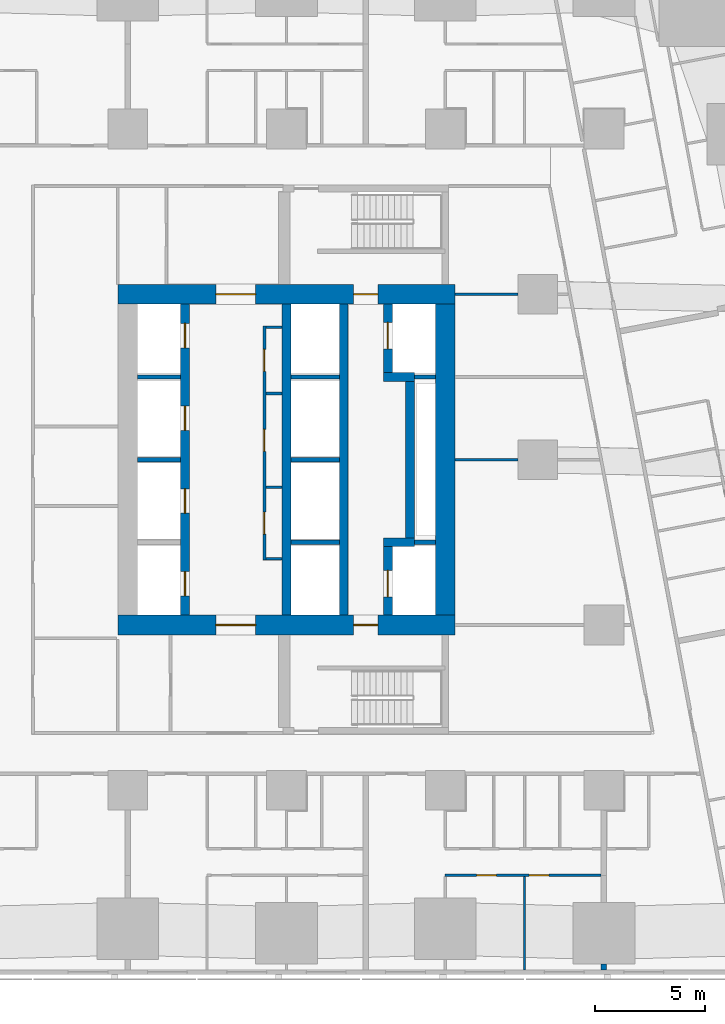
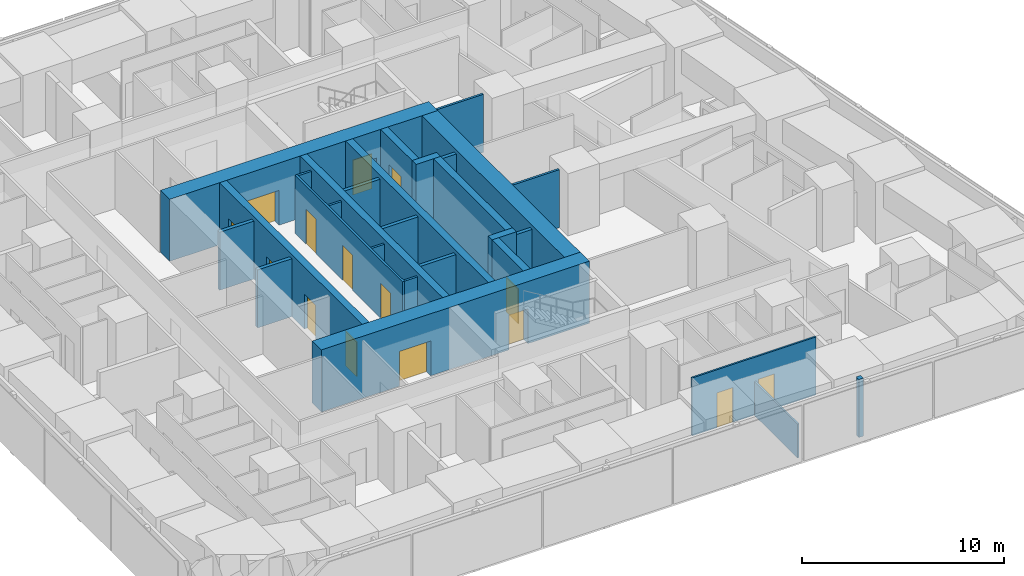
# One storey, part 8 of 18: 28 walls, 15 doors, 15 openings.
"""IFC4 building model written with IfcOpenShell, lengths in metres."""

from ifc_helpers import new_model, si_unit, direction, frame, frame_2d, origin, place, context, subcontext, project, spatial, rectangle, extrude, material, layer, layer_set, type_object, element, fill, save


model = new_model("IFC4")

# Units and contexts
model_context = context("Model", 3, precision=1e-05, world=origin(), true_north=direction((0.0, 1.0)))
body_context = subcontext(model_context, "Body", "Model", "MODEL_VIEW")
ifc_project = project(units=[si_unit("LENGTHUNIT", "METRE"), si_unit("AREAUNIT", "SQUARE_METRE"), si_unit("VOLUMEUNIT", "CUBIC_METRE"), si_unit("PLANEANGLEUNIT", "RADIAN"), si_unit("MASSUNIT", "GRAM", prefix="KILO")], contexts=[model_context])

# Site, building, storey
site_placement = place(None, origin())
site = spatial("IfcSite", under=ifc_project, at=site_placement, CompositionType="ELEMENT")
building_placement = place(site_placement, origin())
building = spatial("IfcBuilding", under=site, at=building_placement, Name="Sheger Commons Tower", CompositionType="ELEMENT")
storey_placement = place(building_placement, frame((0.0, 0.0, 38.75)))
storey = spatial("IfcBuildingStorey", under=building, at=storey_placement, Name="L09", CompositionType="ELEMENT", Elevation=38.75)

# Wall, openings, doors
ifc_material_1 = material(Name="Concrete C50/60", Category="concrete")
ifc_layer_1 = layer(ifc_material_1, 0.39990234375)
ifc_layer_set_1 = layer_set([ifc_layer_1], Name="CORE INNER WALL 400")
wall_type_1 = type_object("IfcWallType", Name="CORE INNER WALL 400", PredefinedType="SHEAR", material=ifc_layer_set_1)
wall_1_placement = place(storey_placement, frame((17.0, 15.449951171875, 0.0), z_axis=(0.0, 0.0, 1.0), x_axis=(0.0, 1.0, 0.0)))
wall_1 = element("IfcWall", 1, at=wall_1_placement, inside=storey, type_object=wall_type_1, Name="Core inner wall A L09", PredefinedType="SHEAR", context=body_context, shape_type="SweptSolid", body=[
    extrude(rectangle(XDim=14.10009765625, YDim=0.39990234375, at=frame_2d((7.050048828125, 0.0))), origin(), (0.0, 0.0, 1.0), 3.75),
])
opening_1_placement = place(wall_1_placement, frame((0.875, 0.0, 0.0)))
opening_1 = element("IfcOpeningElement", 2, at=opening_1_placement, cuts=wall_1, Name="Opening LD", PredefinedType="OPENING", context=body_context, shape_type="SweptSolid", body=[
    extrude(rectangle(XDim=1.10009765625, YDim=2.10009765625, at=frame_2d((0.550048828125, 1.050048828125))), frame((0.0, 0.2099609375, 0.0), z_axis=(0.0, -1.0, 0.0), x_axis=(1.0, 0.0, 0.0)), (0.0, 0.0, 1.0), 0.419921875),
])
opening_2_placement = place(wall_1_placement, frame((4.625, 0.0, 0.0)))
opening_2 = element("IfcOpeningElement", 3, at=opening_2_placement, cuts=wall_1, Name="Opening LD", PredefinedType="OPENING", context=body_context, shape_type="SweptSolid", body=[
    extrude(rectangle(XDim=1.10009765625, YDim=2.10009765625, at=frame_2d((0.550048828125, 1.050048828125))), frame((0.0, 0.2099609375, 0.0), z_axis=(0.0, -1.0, 0.0), x_axis=(1.0, 0.0, 0.0)), (0.0, 0.0, 1.0), 0.419921875),
])
opening_3_placement = place(wall_1_placement, frame((8.375, 0.0, 0.0)))
opening_3 = element("IfcOpeningElement", 4, at=opening_3_placement, cuts=wall_1, Name="Opening LD", PredefinedType="OPENING", context=body_context, shape_type="SweptSolid", body=[
    extrude(rectangle(XDim=1.10009765625, YDim=2.10009765625, at=frame_2d((0.550048828125, 1.050048828125))), frame((0.0, 0.2099609375, 0.0), z_axis=(0.0, -1.0, 0.0), x_axis=(1.0, 0.0, 0.0)), (0.0, 0.0, 1.0), 0.419921875),
])
opening_4_placement = place(wall_1_placement, frame((12.125, 0.0, 0.0)))
opening_4 = element("IfcOpeningElement", 5, at=opening_4_placement, cuts=wall_1, Name="Opening LD", PredefinedType="OPENING", context=body_context, shape_type="SweptSolid", body=[
    extrude(rectangle(XDim=1.10009765625, YDim=2.10009765625, at=frame_2d((0.550048828125, 1.050048828125))), frame((0.0, 0.2099609375, 0.0), z_axis=(0.0, -1.0, 0.0), x_axis=(1.0, 0.0, 0.0)), (0.0, 0.0, 1.0), 0.419921875),
])
ifc_material_2 = material(Name="Steel door set, fire rated", Category="steel")
door_type_1 = type_object("IfcDoorType", Name="LIFT LANDING DOOR 1100x2100", OperationType="DOUBLE_DOOR_SLIDING", PredefinedType="DOOR", material=ifc_material_2)
door_1_placement = place(opening_1_placement, origin())
door_1 = element("IfcDoor", 6, at=door_1_placement, inside=storey, type_object=door_type_1, Name="Lift LA1 landing door", OperationType="DOUBLE_DOOR_SLIDING", OverallHeight=2.10009765625, OverallWidth=1.10009765625, PredefinedType="DOOR", context=body_context, shape_type="SweptSolid", body=[
    extrude(rectangle(XDim=1.10009765625, YDim=2.10009765625, at=frame_2d((0.550048828125, 1.050048828125))), frame((0.0, 0.02490234375, 0.0), z_axis=(0.0, -1.0, 0.0), x_axis=(1.0, 0.0, 0.0)), (0.0, 0.0, 1.0), 0.050048828125),
])
fill(opening_1, door_1)
door_2_placement = place(opening_2_placement, origin())
door_2 = element("IfcDoor", 7, at=door_2_placement, inside=storey, type_object=door_type_1, Name="Lift LA2 landing door", OperationType="DOUBLE_DOOR_SLIDING", OverallHeight=2.10009765625, OverallWidth=1.10009765625, PredefinedType="DOOR", context=body_context, shape_type="SweptSolid", body=[
    extrude(rectangle(XDim=1.10009765625, YDim=2.10009765625, at=frame_2d((0.550048828125, 1.050048828125))), frame((0.0, 0.02490234375, 0.0), z_axis=(0.0, -1.0, 0.0), x_axis=(1.0, 0.0, 0.0)), (0.0, 0.0, 1.0), 0.050048828125),
])
fill(opening_2, door_2)
door_3_placement = place(opening_3_placement, origin())
door_3 = element("IfcDoor", 8, at=door_3_placement, inside=storey, type_object=door_type_1, Name="Lift LA3 landing door", OperationType="DOUBLE_DOOR_SLIDING", OverallHeight=2.10009765625, OverallWidth=1.10009765625, PredefinedType="DOOR", context=body_context, shape_type="SweptSolid", body=[
    extrude(rectangle(XDim=1.10009765625, YDim=2.10009765625, at=frame_2d((0.550048828125, 1.050048828125))), frame((0.0, 0.02490234375, 0.0), z_axis=(0.0, -1.0, 0.0), x_axis=(1.0, 0.0, 0.0)), (0.0, 0.0, 1.0), 0.050048828125),
])
fill(opening_3, door_3)
door_4_placement = place(opening_4_placement, origin())
door_4 = element("IfcDoor", 9, at=door_4_placement, inside=storey, type_object=door_type_1, Name="Lift LA4 landing door", OperationType="DOUBLE_DOOR_SLIDING", OverallHeight=2.10009765625, OverallWidth=1.10009765625, PredefinedType="DOOR", context=body_context, shape_type="SweptSolid", body=[
    extrude(rectangle(XDim=1.10009765625, YDim=2.10009765625, at=frame_2d((0.550048828125, 1.050048828125))), frame((0.0, 0.02490234375, 0.0), z_axis=(0.0, -1.0, 0.0), x_axis=(1.0, 0.0, 0.0)), (0.0, 0.0, 1.0), 0.050048828125),
])
fill(opening_4, door_4)

# Walls
for number, where, z_axis, x_axis, name in (
    (10, (21.60009765625, 15.449951171875, 0.0), (0.0, 0.0, 1.0), (0.0, 1.0, 0.0), "Core inner wall L L09"),
    (11, (24.199951171875, 15.449951171875, 0.0), (0.0, 0.0, 1.0), (0.0, 1.0, 0.0), "Core inner wall B L09"),
):
    element("IfcWall", number, at=place(storey_placement, frame(where, z_axis=z_axis, x_axis=x_axis)), inside=storey, type_object=wall_type_1, Name=name, PredefinedType="SHEAR", context=body_context, shape_type="SweptSolid", body=[
        extrude(rectangle(XDim=14.10009765625, YDim=0.39990234375, at=frame_2d((7.050048828125, 0.0))), origin(), (0.0, 0.0, 1.0), 3.75),
    ])

# Wall, opening, door
wall_2_placement = place(storey_placement, frame((26.199951171875, 15.449951171875, 0.0), z_axis=(0.0, 0.0, 1.0), x_axis=(0.0, 1.0, 0.0)))
wall_2 = element("IfcWall", 12, at=wall_2_placement, inside=storey, type_object=wall_type_1, Name="Core inner wall F L09", PredefinedType="SHEAR", context=body_context, shape_type="SweptSolid", body=[
    extrude(rectangle(XDim=3.10009765625, YDim=0.39990234375, at=frame_2d((1.550048828125, 0.0))), origin(), (0.0, 0.0, 1.0), 3.75),
])
opening_5_placement = place(wall_2_placement, frame((0.824951171875, 0.0, 0.0)))
opening_5 = element("IfcOpeningElement", 13, at=opening_5_placement, cuts=wall_2, Name="Opening LD2", PredefinedType="OPENING", context=body_context, shape_type="SweptSolid", body=[
    extrude(rectangle(XDim=1.199951171875, YDim=2.10009765625, at=frame_2d((0.60009765625, 1.050048828125))), frame((0.0, 0.2099609375, 0.0), z_axis=(0.0, -1.0, 0.0), x_axis=(1.0, 0.0, 0.0)), (0.0, 0.0, 1.0), 0.419921875),
])
ifc_material_3 = material(Name="Steel door set, fire rated", Category="steel")
door_type_2 = type_object("IfcDoorType", Name="FIREFIGHTING LIFT LANDING DOOR 1200x2100", OperationType="DOUBLE_DOOR_SLIDING", PredefinedType="DOOR", material=ifc_material_3)
door_5_placement = place(opening_5_placement, origin())
door_5 = element("IfcDoor", 14, at=door_5_placement, inside=storey, type_object=door_type_2, Name="Lift FL1 landing door", OperationType="DOUBLE_DOOR_SLIDING", OverallHeight=2.10009765625, OverallWidth=1.199951171875, PredefinedType="DOOR", context=body_context, shape_type="SweptSolid", body=[
    extrude(rectangle(XDim=1.199951171875, YDim=2.10009765625, at=frame_2d((0.60009765625, 1.050048828125))), frame((0.0, 0.02490234375, 0.0), z_axis=(0.0, -1.0, 0.0), x_axis=(1.0, 0.0, 0.0)), (0.0, 0.0, 1.0), 0.050048828125),
])
fill(opening_5, door_5)

# Walls
wall_3_placement = place(storey_placement, frame((26.0, 18.75, 0.0), z_axis=(0.0, 0.0, 1.0), x_axis=(1.0, 0.0, 0.0)))
element("IfcWall", 15, at=wall_3_placement, inside=storey, type_object=wall_type_1, Name="Core inner wall F south return L09", PredefinedType="SHEAR", context=body_context, shape_type="SweptSolid", body=[
    extrude(rectangle(XDim=1.39990234375, YDim=0.39990234375, at=frame_2d((0.699951171875, 0.0))), origin(), (0.0, 0.0, 1.0), 3.75),
])
wall_4_placement = place(storey_placement, frame((27.199951171875, 18.949951171875, 0.0), z_axis=(0.0, 0.0, 1.0), x_axis=(0.0, 1.0, 0.0)))
element("IfcWall", 16, at=wall_4_placement, inside=storey, type_object=wall_type_1, Name="Core inner wall F middle L09", PredefinedType="SHEAR", context=body_context, shape_type="SweptSolid", body=[
    extrude(rectangle(XDim=7.10009765625, YDim=0.39990234375, at=frame_2d((3.550048828125, 0.0))), origin(), (0.0, 0.0, 1.0), 3.75),
])
wall_5_placement = place(storey_placement, frame((26.0, 26.25, 0.0), z_axis=(0.0, 0.0, 1.0), x_axis=(1.0, 0.0, 0.0)))
element("IfcWall", 17, at=wall_5_placement, inside=storey, type_object=wall_type_1, Name="Core inner wall F north return L09", PredefinedType="SHEAR", context=body_context, shape_type="SweptSolid", body=[
    extrude(rectangle(XDim=1.39990234375, YDim=0.39990234375, at=frame_2d((0.699951171875, 0.0))), origin(), (0.0, 0.0, 1.0), 3.75),
])

# Wall, opening, door
wall_6_placement = place(storey_placement, frame((26.199951171875, 26.449951171875, 0.0), z_axis=(0.0, 0.0, 1.0), x_axis=(0.0, 1.0, 0.0)))
wall_6 = element("IfcWall", 18, at=wall_6_placement, inside=storey, type_object=wall_type_1, Name="Core inner wall F north L09", PredefinedType="SHEAR", context=body_context, shape_type="SweptSolid", body=[
    extrude(rectangle(XDim=3.10009765625, YDim=0.39990234375, at=frame_2d((1.550048828125, 0.0))), origin(), (0.0, 0.0, 1.0), 3.75),
])
opening_6_placement = place(wall_6_placement, frame((1.074951171875, 0.0, 0.0)))
opening_6 = element("IfcOpeningElement", 19, at=opening_6_placement, cuts=wall_6, Name="Opening LD2", PredefinedType="OPENING", context=body_context, shape_type="SweptSolid", body=[
    extrude(rectangle(XDim=1.199951171875, YDim=2.10009765625, at=frame_2d((0.60009765625, 1.050048828125))), frame((0.0, 0.2099609375, 0.0), z_axis=(0.0, -1.0, 0.0), x_axis=(1.0, 0.0, 0.0)), (0.0, 0.0, 1.0), 0.419921875),
])
door_6_placement = place(opening_6_placement, origin())
door_6 = element("IfcDoor", 20, at=door_6_placement, inside=storey, type_object=door_type_2, Name="Lift FL2 landing door", OperationType="DOUBLE_DOOR_SLIDING", OverallHeight=2.10009765625, OverallWidth=1.199951171875, PredefinedType="DOOR", context=body_context, shape_type="SweptSolid", body=[
    extrude(rectangle(XDim=1.199951171875, YDim=2.10009765625, at=frame_2d((0.60009765625, 1.050048828125))), frame((0.0, 0.02490234375, 0.0), z_axis=(0.0, -1.0, 0.0), x_axis=(1.0, 0.0, 0.0)), (0.0, 0.0, 1.0), 0.050048828125),
])
fill(opening_6, door_6)

# Wall, openings, doors
ifc_material_4 = material(Name="Concrete C50/60", Category="concrete")
ifc_layer_2 = layer(ifc_material_4, 0.89990234375)
ifc_layer_set_2 = layer_set([ifc_layer_2], Name="CORE WALL 900")
wall_type_2 = type_object("IfcWallType", Name="CORE WALL 900", PredefinedType="SHEAR", material=ifc_layer_set_2)
wall_7_placement = place(storey_placement, frame((13.949951171875, 15.0, 0.0), z_axis=(0.0, 0.0, 1.0), x_axis=(1.0, 0.0, 0.0)))
wall_7 = element("IfcWall", 21, at=wall_7_placement, inside=storey, type_object=wall_type_2, Name="Core wall south L09", PredefinedType="SHEAR", context=body_context, shape_type="SweptSolid", body=[
    extrude(rectangle(XDim=15.300048828125, YDim=0.89990234375, at=frame_2d((7.64990234375, 0.0))), origin(), (0.0, 0.0, 1.0), 3.75),
])
opening_7_placement = place(wall_7_placement, frame((4.449951171875, 0.0, 0.0)))
opening_7 = element("IfcOpeningElement", 22, at=opening_7_placement, cuts=wall_7, Name="Opening D6", PredefinedType="OPENING", context=body_context, shape_type="SweptSolid", body=[
    extrude(rectangle(XDim=1.800048828125, YDim=2.10009765625, at=frame_2d((0.89990234375, 1.050048828125))), frame((0.0, 0.4599609375, 0.0), z_axis=(0.0, -1.0, 0.0), x_axis=(1.0, 0.0, 0.0)), (0.0, 0.0, 1.0), 0.919921875),
])
opening_8_placement = place(wall_7_placement, frame((10.699951171875, 0.0, 0.0)))
opening_8 = element("IfcOpeningElement", 23, at=opening_8_placement, cuts=wall_7, Name="Opening D5", PredefinedType="OPENING", context=body_context, shape_type="SweptSolid", body=[
    extrude(rectangle(XDim=1.10009765625, YDim=2.10009765625, at=frame_2d((0.550048828125, 1.050048828125))), frame((0.0, 0.4599609375, 0.0), z_axis=(0.0, -1.0, 0.0), x_axis=(1.0, 0.0, 0.0)), (0.0, 0.0, 1.0), 0.919921875),
])
ifc_material_5 = material(Name="Steel door set, fire rated", Category="steel")
door_type_3 = type_object("IfcDoorType", Name="LOBBY DOUBLE DOOR 1800x2100", OperationType="DOUBLE_DOOR_SINGLE_SWING", PredefinedType="DOOR", material=ifc_material_5)
door_7_placement = place(opening_7_placement, origin())
door_7 = element("IfcDoor", 24, at=door_7_placement, inside=storey, type_object=door_type_3, Name="Lift lobby door", OperationType="DOUBLE_DOOR_SINGLE_SWING", OverallHeight=2.10009765625, OverallWidth=1.800048828125, PredefinedType="DOOR", context=body_context, shape_type="SweptSolid", body=[
    extrude(rectangle(XDim=1.800048828125, YDim=2.10009765625, at=frame_2d((0.89990234375, 1.050048828125))), frame((0.0, 0.02490234375, 0.0), z_axis=(0.0, -1.0, 0.0), x_axis=(1.0, 0.0, 0.0)), (0.0, 0.0, 1.0), 0.050048828125),
])
fill(opening_7, door_7)
ifc_material_6 = material(Name="Steel door set, fire rated", Category="steel")
door_type_4 = type_object("IfcDoorType", Name="STAIR DOOR 1100x2100", OperationType="NOTDEFINED", PredefinedType="DOOR", material=ifc_material_6)
door_8_placement = place(opening_8_placement, origin())
door_8 = element("IfcDoor", 25, at=door_8_placement, inside=storey, type_object=door_type_4, Name="Fire-fighting lobby door", OperationType="SINGLE_SWING_LEFT", OverallHeight=2.10009765625, OverallWidth=1.10009765625, PredefinedType="DOOR", context=body_context, shape_type="SweptSolid", body=[
    extrude(rectangle(XDim=1.10009765625, YDim=2.10009765625, at=frame_2d((0.550048828125, 1.050048828125))), frame((0.0, 0.02490234375, 0.0), z_axis=(0.0, -1.0, 0.0), x_axis=(1.0, 0.0, 0.0)), (0.0, 0.0, 1.0), 0.050048828125),
])
fill(opening_8, door_8)

wall_8_placement = place(storey_placement, frame((13.949951171875, 30.0, 0.0), z_axis=(0.0, 0.0, 1.0), x_axis=(1.0, 0.0, 0.0)))
wall_8 = element("IfcWall", 26, at=wall_8_placement, inside=storey, type_object=wall_type_2, Name="Core wall north L09", PredefinedType="SHEAR", context=body_context, shape_type="SweptSolid", body=[
    extrude(rectangle(XDim=15.300048828125, YDim=0.89990234375, at=frame_2d((7.64990234375, 0.0))), origin(), (0.0, 0.0, 1.0), 3.75),
])
opening_9_placement = place(wall_8_placement, frame((4.449951171875, 0.0, 0.0)))
opening_9 = element("IfcOpeningElement", 27, at=opening_9_placement, cuts=wall_8, Name="Opening D6", PredefinedType="OPENING", context=body_context, shape_type="SweptSolid", body=[
    extrude(rectangle(XDim=1.800048828125, YDim=2.10009765625, at=frame_2d((0.89990234375, 1.050048828125))), frame((0.0, 0.4599609375, 0.0), z_axis=(0.0, -1.0, 0.0), x_axis=(1.0, 0.0, 0.0)), (0.0, 0.0, 1.0), 0.919921875),
])
opening_10_placement = place(wall_8_placement, frame((10.699951171875, 0.0, 0.0)))
opening_10 = element("IfcOpeningElement", 28, at=opening_10_placement, cuts=wall_8, Name="Opening D5", PredefinedType="OPENING", context=body_context, shape_type="SweptSolid", body=[
    extrude(rectangle(XDim=1.10009765625, YDim=2.10009765625, at=frame_2d((0.550048828125, 1.050048828125))), frame((0.0, 0.4599609375, 0.0), z_axis=(0.0, -1.0, 0.0), x_axis=(1.0, 0.0, 0.0)), (0.0, 0.0, 1.0), 0.919921875),
])
door_9_placement = place(opening_9_placement, origin())
door_9 = element("IfcDoor", 29, at=door_9_placement, inside=storey, type_object=door_type_3, Name="Lift lobby door", OperationType="DOUBLE_DOOR_SINGLE_SWING", OverallHeight=2.10009765625, OverallWidth=1.800048828125, PredefinedType="DOOR", context=body_context, shape_type="SweptSolid", body=[
    extrude(rectangle(XDim=1.800048828125, YDim=2.10009765625, at=frame_2d((0.89990234375, 1.050048828125))), frame((0.0, 0.02490234375, 0.0), z_axis=(0.0, -1.0, 0.0), x_axis=(1.0, 0.0, 0.0)), (0.0, 0.0, 1.0), 0.050048828125),
])
fill(opening_9, door_9)
door_10_placement = place(opening_10_placement, origin())
door_10 = element("IfcDoor", 30, at=door_10_placement, inside=storey, type_object=door_type_4, Name="Fire-fighting lobby door", OperationType="SINGLE_SWING_LEFT", OverallHeight=2.10009765625, OverallWidth=1.10009765625, PredefinedType="DOOR", context=body_context, shape_type="SweptSolid", body=[
    extrude(rectangle(XDim=1.10009765625, YDim=2.10009765625, at=frame_2d((0.550048828125, 1.050048828125))), frame((0.0, 0.02490234375, 0.0), z_axis=(0.0, -1.0, 0.0), x_axis=(1.0, 0.0, 0.0)), (0.0, 0.0, 1.0), 0.050048828125),
])
fill(opening_10, door_10)

# Walls
wall_9_placement = place(storey_placement, frame((28.800048828125, 15.449951171875, 0.0), z_axis=(0.0, 0.0, 1.0), x_axis=(0.0, 1.0, 0.0)))
element("IfcWall", 31, at=wall_9_placement, inside=storey, type_object=wall_type_2, Name="Core wall east L09", PredefinedType="SHEAR", context=body_context, shape_type="SweptSolid", body=[
    extrude(rectangle(XDim=14.10009765625, YDim=0.89990234375, at=frame_2d((7.050048828125, 0.0))), origin(), (0.0, 0.0, 1.0), 3.75),
])
ifc_material_7 = material(Name="Dense concrete block masonry, plastered both sides (separating wall between flats)", Category="masonry")
ifc_layer_3 = layer(ifc_material_7, 0.25)
ifc_layer_set_3 = layer_set([ifc_layer_3], Name="DEMISING WALL 250")
wall_type_3 = type_object("IfcWallType", Name="DEMISING WALL 250", PredefinedType="SOLIDWALL", material=ifc_layer_set_3)
wall_10_placement = place(storey_placement, frame((36.0, -0.64990234375, 0.0), z_axis=(0.0, 0.0, 1.0), x_axis=(0.0, 1.0, 0.0)))
element("IfcWall", 32, at=wall_10_placement, inside=storey, type_object=wall_type_3, Name="Demising wall L09", PredefinedType="SOLIDWALL", context=body_context, shape_type="SweptSolid", body=[
    extrude(rectangle(XDim=0.27392578125, YDim=0.25, at=frame_2d((0.136962890625, 0.0))), origin(), (0.0, 0.0, 1.0), 3.5),
])

# Wall, openings, doors
ifc_material_8 = material(Name="Gypsum board on steel studs", Category="steel")
ifc_layer_4 = layer(ifc_material_8, 0.10009765625)
ifc_layer_set_4 = layer_set([ifc_layer_4], Name="PARTITION 100")
wall_type_4 = type_object("IfcWallType", Name="PARTITION 100", PredefinedType="PARTITIONING", material=ifc_layer_set_4)
wall_11_placement = place(storey_placement, frame((35.875, 3.64990234375, 0.0), z_axis=(0.0, 0.0, 1.0), x_axis=(-1.0, 0.0, 0.0)))
wall_11 = element("IfcWall", 33, at=wall_11_placement, inside=storey, type_object=wall_type_4, Name="Partition L09", PredefinedType="PARTITIONING", context=body_context, shape_type="SweptSolid", body=[
    extrude(rectangle(XDim=7.074951171875, YDim=0.10009765625, at=frame_2d((3.53759765625, 0.0))), origin(), (0.0, 0.0, 1.0), 3.5),
])
opening_11_placement = place(wall_11_placement, frame((4.75, 0.0, 0.0)))
opening_11 = element("IfcOpeningElement", 34, at=opening_11_placement, cuts=wall_11, Name="Opening D2", PredefinedType="OPENING", context=body_context, shape_type="SweptSolid", body=[
    extrude(rectangle(XDim=0.89990234375, YDim=2.10009765625, at=frame_2d((0.449951171875, 1.050048828125))), frame((0.0, 0.06005859375, 0.0), z_axis=(0.0, -1.0, 0.0), x_axis=(1.0, 0.0, 0.0)), (0.0, 0.0, 1.0), 0.1201171875),
])
opening_12_placement = place(wall_11_placement, frame((2.375, 0.0, 0.0)))
opening_12 = element("IfcOpeningElement", 35, at=opening_12_placement, cuts=wall_11, Name="Opening D2", PredefinedType="OPENING", context=body_context, shape_type="SweptSolid", body=[
    extrude(rectangle(XDim=0.89990234375, YDim=2.10009765625, at=frame_2d((0.449951171875, 1.050048828125))), frame((0.0, 0.06005859375, 0.0), z_axis=(0.0, -1.0, 0.0), x_axis=(1.0, 0.0, 0.0)), (0.0, 0.0, 1.0), 0.1201171875),
])
ifc_material_9 = material(Name="Timber door set", Category="wood")
door_type_5 = type_object("IfcDoorType", Name="INTERNAL DOOR 900x2100", OperationType="NOTDEFINED", PredefinedType="DOOR", material=ifc_material_9)
door_11_placement = place(opening_11_placement, origin())
door_11 = element("IfcDoor", 36, at=door_11_placement, inside=storey, type_object=door_type_5, Name="Main bedroom door", OperationType="SINGLE_SWING_RIGHT", OverallHeight=2.10009765625, OverallWidth=0.89990234375, PredefinedType="DOOR", context=body_context, shape_type="SweptSolid", body=[
    extrude(rectangle(XDim=0.89990234375, YDim=2.10009765625, at=frame_2d((0.449951171875, 1.050048828125))), frame((0.0, 0.02490234375, 0.0), z_axis=(0.0, -1.0, 0.0), x_axis=(1.0, 0.0, 0.0)), (0.0, 0.0, 1.0), 0.050048828125),
])
fill(opening_11, door_11)
door_12_placement = place(opening_12_placement, origin())
door_12 = element("IfcDoor", 37, at=door_12_placement, inside=storey, type_object=door_type_5, Name="Bedroom 2 door", OperationType="SINGLE_SWING_RIGHT", OverallHeight=2.10009765625, OverallWidth=0.89990234375, PredefinedType="DOOR", context=body_context, shape_type="SweptSolid", body=[
    extrude(rectangle(XDim=0.89990234375, YDim=2.10009765625, at=frame_2d((0.449951171875, 1.050048828125))), frame((0.0, 0.02490234375, 0.0), z_axis=(0.0, -1.0, 0.0), x_axis=(1.0, 0.0, 0.0)), (0.0, 0.0, 1.0), 0.050048828125),
])
fill(opening_12, door_12)

# Walls
wall_12_placement = place(storey_placement, frame((32.39990234375, -0.64990234375, 0.0), z_axis=(0.0, 0.0, 1.0), x_axis=(0.0, 1.0, 0.0)))
element("IfcWall", 38, at=wall_12_placement, inside=storey, type_object=wall_type_4, Name="Partition L09", PredefinedType="PARTITIONING", context=body_context, shape_type="SweptSolid", body=[
    extrude(rectangle(XDim=4.25, YDim=0.10009765625, at=frame_2d((2.125, 0.0))), origin(), (0.0, 0.0, 1.0), 2.050048828125),
])
ifc_material_10 = material(Name="Gypsum board on steel studs, two layers each side, fire rated", Category="steel")
ifc_layer_5 = layer(ifc_material_10, 0.125)
ifc_layer_set_5 = layer_set([ifc_layer_5], Name="SERVICE WALL 125")
wall_type_5 = type_object("IfcWallType", Name="SERVICE WALL 125", PredefinedType="PARTITIONING", material=ifc_layer_set_5)
for number, where, z_axis, x_axis, name in (
    (39, (29.25, 22.5, 0.0), (0.0, 0.0, 1.0), (1.0, 0.0, 0.0), "Service room wall L09"),
    (40, (29.25, 30.0, 0.0), (0.0, 0.0, 1.0), (1.0, 0.0, 0.0), "Service room wall L09"),
):
    element("IfcWall", number, at=place(storey_placement, frame(where, z_axis=z_axis, x_axis=x_axis)), inside=storey, type_object=wall_type_5, Name=name, PredefinedType="PARTITIONING", context=body_context, shape_type="SweptSolid", body=[
        extrude(rectangle(XDim=2.84912109375, YDim=0.125, at=frame_2d((1.424560546875, 0.0))), origin(), (0.0, 0.0, 1.0), 3.5),
    ])

# Wall, openings, doors
wall_13_placement = place(storey_placement, frame((20.60009765625, 17.93798828125, 0.0), z_axis=(0.0, 0.0, 1.0), x_axis=(0.0, 1.0, 0.0)))
wall_13 = element("IfcWall", 41, at=wall_13_placement, inside=storey, type_object=wall_type_5, Name="Service room wall L09", PredefinedType="PARTITIONING", context=body_context, shape_type="SweptSolid", body=[
    extrude(rectangle(XDim=10.6240234375, YDim=0.125, at=frame_2d((5.31201171875, 0.0))), origin(), (0.0, 0.0, 1.0), 3.5),
])
opening_13_placement = place(wall_13_placement, frame((1.18701171875, 0.0, 0.0)))
opening_13 = element("IfcOpeningElement", 42, at=opening_13_placement, cuts=wall_13, Name="Opening D4", PredefinedType="OPENING", context=body_context, shape_type="SweptSolid", body=[
    extrude(rectangle(XDim=1.0, YDim=2.10009765625, at=frame_2d((0.5, 1.050048828125))), frame((0.0, 0.072509765625, 0.0), z_axis=(0.0, -1.0, 0.0), x_axis=(1.0, 0.0, 0.0)), (0.0, 0.0, 1.0), 0.14501953125),
])
opening_14_placement = place(wall_13_placement, frame((4.93701171875, 0.0, 0.0)))
opening_14 = element("IfcOpeningElement", 43, at=opening_14_placement, cuts=wall_13, Name="Opening D4", PredefinedType="OPENING", context=body_context, shape_type="SweptSolid", body=[
    extrude(rectangle(XDim=1.0, YDim=2.10009765625, at=frame_2d((0.5, 1.050048828125))), frame((0.0, 0.072509765625, 0.0), z_axis=(0.0, -1.0, 0.0), x_axis=(1.0, 0.0, 0.0)), (0.0, 0.0, 1.0), 0.14501953125),
])
opening_15_placement = place(wall_13_placement, frame((8.56201171875, 0.0, 0.0)))
opening_15 = element("IfcOpeningElement", 44, at=opening_15_placement, cuts=wall_13, Name="Opening D4", PredefinedType="OPENING", context=body_context, shape_type="SweptSolid", body=[
    extrude(rectangle(XDim=1.0, YDim=2.10009765625, at=frame_2d((0.5, 1.050048828125))), frame((0.0, 0.072509765625, 0.0), z_axis=(0.0, -1.0, 0.0), x_axis=(1.0, 0.0, 0.0)), (0.0, 0.0, 1.0), 0.14501953125),
])
ifc_material_11 = material(Name="Steel door set, fire rated", Category="steel")
door_type_6 = type_object("IfcDoorType", Name="SERVICE DOOR 1000x2100", OperationType="NOTDEFINED", PredefinedType="DOOR", material=ifc_material_11)
door_13_placement = place(opening_13_placement, origin())
door_13 = element("IfcDoor", 45, at=door_13_placement, inside=storey, type_object=door_type_6, Name="Housekeeping cupboard door", OperationType="SINGLE_SWING_LEFT", OverallHeight=2.10009765625, OverallWidth=1.0, PredefinedType="DOOR", context=body_context, shape_type="SweptSolid", body=[
    extrude(rectangle(XDim=1.0, YDim=2.10009765625, at=frame_2d((0.5, 1.050048828125))), frame((0.0, 0.02490234375, 0.0), z_axis=(0.0, -1.0, 0.0), x_axis=(1.0, 0.0, 0.0)), (0.0, 0.0, 1.0), 0.050048828125),
])
fill(opening_13, door_13)
door_14_placement = place(opening_14_placement, origin())
door_14 = element("IfcDoor", 46, at=door_14_placement, inside=storey, type_object=door_type_6, Name="Water meter cupboard door", OperationType="SINGLE_SWING_RIGHT", OverallHeight=2.10009765625, OverallWidth=1.0, PredefinedType="DOOR", context=body_context, shape_type="SweptSolid", body=[
    extrude(rectangle(XDim=1.0, YDim=2.10009765625, at=frame_2d((0.5, 1.050048828125))), frame((0.0, 0.02490234375, 0.0), z_axis=(0.0, -1.0, 0.0), x_axis=(1.0, 0.0, 0.0)), (0.0, 0.0, 1.0), 0.050048828125),
])
fill(opening_14, door_14)
door_15_placement = place(opening_15_placement, origin())
door_15 = element("IfcDoor", 47, at=door_15_placement, inside=storey, type_object=door_type_6, Name="Linen cupboard door", OperationType="SINGLE_SWING_RIGHT", OverallHeight=2.10009765625, OverallWidth=1.0, PredefinedType="DOOR", context=body_context, shape_type="SweptSolid", body=[
    extrude(rectangle(XDim=1.0, YDim=2.10009765625, at=frame_2d((0.5, 1.050048828125))), frame((0.0, 0.02490234375, 0.0), z_axis=(0.0, -1.0, 0.0), x_axis=(1.0, 0.0, 0.0)), (0.0, 0.0, 1.0), 0.050048828125),
])
fill(opening_15, door_15)

# Walls
for number, where, z_axis, x_axis, name in (
    (48, (20.6630859375, 18.0, 0.0), (0.0, 0.0, 1.0), (1.0, 0.0, 0.0), "Service room wall L09"),
    (49, (20.6630859375, 28.5, 0.0), (0.0, 0.0, 1.0), (1.0, 0.0, 0.0), "Service room wall L09"),
    (50, (20.6630859375, 21.25, 0.0), (0.0, 0.0, 1.0), (1.0, 0.0, 0.0), "Service room wall L09"),
    (51, (20.6630859375, 25.5, 0.0), (0.0, 0.0, 1.0), (1.0, 0.0, 0.0), "Service room wall L09"),
):
    element("IfcWall", number, at=place(storey_placement, frame(where, z_axis=z_axis, x_axis=x_axis)), inside=storey, type_object=wall_type_5, Name=name, PredefinedType="PARTITIONING", context=body_context, shape_type="SweptSolid", body=[
        extrude(rectangle(XDim=0.73681640625, YDim=0.125, at=frame_2d((0.368408203125, 0.0))), origin(), (0.0, 0.0, 1.0), 3.5),
    ])
ifc_material_12 = material(Name="Hollow concrete block masonry", Category="masonry")
ifc_layer_6 = layer(ifc_material_12, 0.199951171875)
ifc_layer_set_6 = layer_set([ifc_layer_6], Name="SHAFT WALL 200")
wall_type_6 = type_object("IfcWallType", Name="SHAFT WALL 200", PredefinedType="SOLIDWALL", material=ifc_layer_set_6)
wall_14_placement = place(storey_placement, frame((21.800048828125, 18.75, 0.0), z_axis=(0.0, 0.0, 1.0), x_axis=(1.0, 0.0, 0.0)))
element("IfcWall", 52, at=wall_14_placement, inside=storey, type_object=wall_type_6, Name="Lift shaft wall L09", PredefinedType="SOLIDWALL", context=body_context, shape_type="SweptSolid", body=[
    extrude(rectangle(XDim=2.199951171875, YDim=0.199951171875, at=frame_2d((1.10009765625, 0.0))), origin(), (0.0, 0.0, 1.0), 3.5),
])
wall_15_placement = place(storey_placement, frame((14.85009765625, 22.5, 0.0), z_axis=(0.0, 0.0, 1.0), x_axis=(1.0, 0.0, 0.0)))
element("IfcWall", 53, at=wall_15_placement, inside=storey, type_object=wall_type_6, Name="Lift shaft wall L09", PredefinedType="SOLIDWALL", context=body_context, shape_type="SweptSolid", body=[
    extrude(rectangle(XDim=1.949951171875, YDim=0.199951171875, at=frame_2d((0.97509765625, 0.0))), origin(), (0.0, 0.0, 1.0), 3.5),
])
wall_16_placement = place(storey_placement, frame((21.800048828125, 22.5, 0.0), z_axis=(0.0, 0.0, 1.0), x_axis=(1.0, 0.0, 0.0)))
element("IfcWall", 54, at=wall_16_placement, inside=storey, type_object=wall_type_6, Name="Lift shaft wall L09", PredefinedType="SOLIDWALL", context=body_context, shape_type="SweptSolid", body=[
    extrude(rectangle(XDim=2.199951171875, YDim=0.199951171875, at=frame_2d((1.10009765625, 0.0))), origin(), (0.0, 0.0, 1.0), 3.5),
])
wall_17_placement = place(storey_placement, frame((14.85009765625, 26.25, 0.0), z_axis=(0.0, 0.0, 1.0), x_axis=(1.0, 0.0, 0.0)))
element("IfcWall", 55, at=wall_17_placement, inside=storey, type_object=wall_type_6, Name="Lift shaft wall L09", PredefinedType="SOLIDWALL", context=body_context, shape_type="SweptSolid", body=[
    extrude(rectangle(XDim=1.949951171875, YDim=0.199951171875, at=frame_2d((0.97509765625, 0.0))), origin(), (0.0, 0.0, 1.0), 3.5),
])
wall_18_placement = place(storey_placement, frame((21.800048828125, 26.25, 0.0), z_axis=(0.0, 0.0, 1.0), x_axis=(1.0, 0.0, 0.0)))
element("IfcWall", 56, at=wall_18_placement, inside=storey, type_object=wall_type_6, Name="Lift shaft wall L09", PredefinedType="SOLIDWALL", context=body_context, shape_type="SweptSolid", body=[
    extrude(rectangle(XDim=2.199951171875, YDim=0.199951171875, at=frame_2d((1.10009765625, 0.0))), origin(), (0.0, 0.0, 1.0), 3.5),
])
for number, where, z_axis, x_axis, name in (
    (57, (27.39990234375, 18.75, 0.0), (0.0, 0.0, 1.0), (1.0, 0.0, 0.0), "Lift shaft wall L09"),
    (58, (27.39990234375, 26.25, 0.0), (0.0, 0.0, 1.0), (1.0, 0.0, 0.0), "Lift shaft wall L09"),
):
    element("IfcWall", number, at=place(storey_placement, frame(where, z_axis=z_axis, x_axis=x_axis)), inside=storey, type_object=wall_type_6, Name=name, PredefinedType="SOLIDWALL", context=body_context, shape_type="SweptSolid", body=[
        extrude(rectangle(XDim=0.9501953125, YDim=0.199951171875, at=frame_2d((0.47509765625, 0.0))), origin(), (0.0, 0.0, 1.0), 3.5),
    ])

save(model, "model.ifc")
